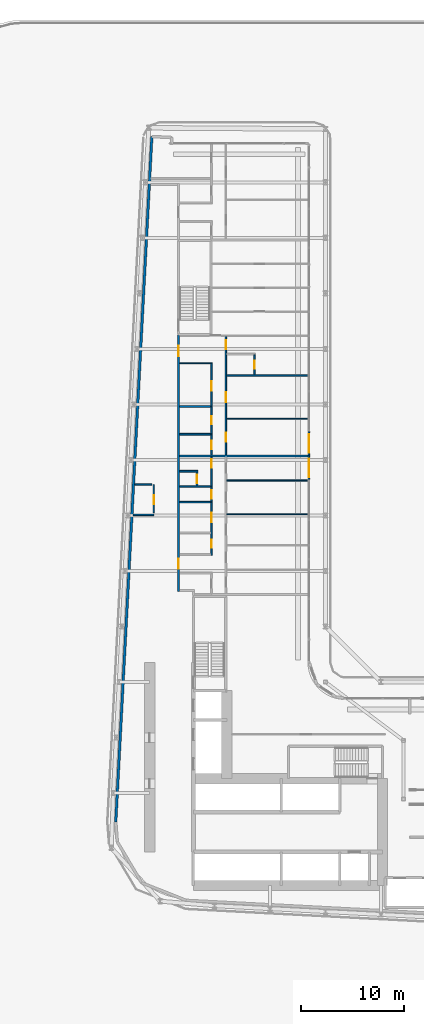
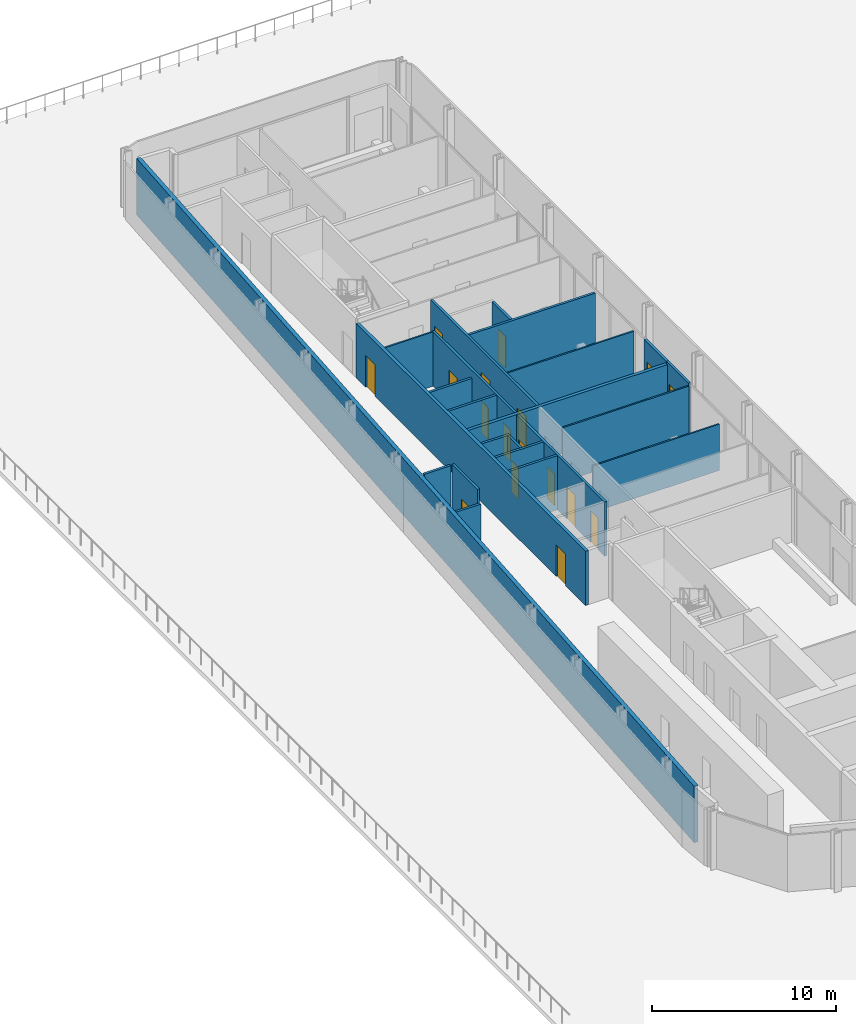
# One storey, part 17 of 27: 23 walls, 17 doors, 17 openings.
"""IFC4 building model written with IfcOpenShell, lengths in metres."""

from ifc_helpers import new_model, si_unit, direction, frame, frame_2d, origin, place, context, subcontext, project, spatial, rectangle, extrude, source, transform, mapped, material, layer, layer_set, type_object, element, fill, save


model = new_model("IFC4")

# Units and contexts
model_context = context("Model", 3, precision=1e-05, world=origin(), true_north=direction((0.0, 1.0)))
body_context = subcontext(model_context, "Body", "Model", "MODEL_VIEW")
ifc_project = project(units=[si_unit("LENGTHUNIT", "METRE"), si_unit("AREAUNIT", "SQUARE_METRE"), si_unit("VOLUMEUNIT", "CUBIC_METRE"), si_unit("PLANEANGLEUNIT", "RADIAN"), si_unit("MASSUNIT", "GRAM", prefix="KILO")], contexts=[model_context])

# Site, building, storey
site_placement = place(None, origin())
site = spatial("IfcSite", under=ifc_project, at=site_placement, CompositionType="ELEMENT")
building_placement = place(site_placement, origin())
building = spatial("IfcBuilding", under=site, at=building_placement, Name="Kheshtan School and Residences Tower", CompositionType="ELEMENT")
storey_placement = place(building_placement, frame((0.0, 0.0, 30.5)))
storey = spatial("IfcBuildingStorey", under=building, at=storey_placement, Name="L06", CompositionType="ELEMENT", Elevation=30.5)

# Wall, openings, doors
ifc_material_1 = material(Name="Gypsum board on steel studs with fire boards", Category="steel")
ifc_layer_1 = layer(ifc_material_1, 0.199951171875)
ifc_layer_set_1 = layer_set([ifc_layer_1], Name="Corridor wall 200")
wall_type_1 = type_object("IfcWallType", Name="Corridor wall 200", PredefinedType="PARTITIONING", material=ifc_layer_set_1)
wall_1_placement = place(storey_placement, frame((33.300048828125, 54.39990234375, 0.0), z_axis=(0.0, 0.0, 1.0), x_axis=(0.0, 1.0, 0.0)))
wall_1 = element("IfcWall", 1, at=wall_1_placement, inside=storey, type_object=wall_type_1, Name="Partition L06-003", PredefinedType="PARTITIONING", context=body_context, shape_type="SweptSolid", body=[
    extrude(rectangle(XDim=24.9501953125, YDim=0.199951171875, at=frame_2d((12.47509765625, 0.0))), origin(), (0.0, 0.0, 1.0), 3.60009765625),
])
opening_1_placement = place(wall_1_placement, frame((2.199951171875, 0.0, 0.0)))
opening_1 = element("IfcOpeningElement", 2, at=opening_1_placement, cuts=wall_1, Name="Opening D06-029", PredefinedType="OPENING", context=body_context, shape_type="SweptSolid", body=[
    extrude(rectangle(XDim=1.0, YDim=2.10009765625, at=frame_2d((0.5, 1.050048828125))), frame((0.0, 0.10986328125, 0.0), z_axis=(0.0, -1.0, 0.0), x_axis=(1.0, 0.0, 0.0)), (0.0, 0.0, 1.0), 0.219970703125),
])
opening_2_placement = place(wall_1_placement, frame((22.89990234375, 0.0, 0.0)))
opening_2 = element("IfcOpeningElement", 3, at=opening_2_placement, cuts=wall_1, Name="Opening D06-040", PredefinedType="OPENING", context=body_context, shape_type="SweptSolid", body=[
    extrude(rectangle(XDim=1.0, YDim=2.10009765625, at=frame_2d((0.5, 1.050048828125))), frame((0.0, 0.10986328125, 0.0), z_axis=(0.0, -1.0, 0.0), x_axis=(1.0, 0.0, 0.0)), (0.0, 0.0, 1.0), 0.219970703125),
])
ifc_material_2 = material(Name="Steel-framed fire-resisting door leaf", Category="steel")
door_type_1 = type_object("IfcDoorType", Name="Fire door FD30S 1000 x 2100", OperationType="SINGLE_SWING_LEFT", PredefinedType="DOOR", material=ifc_material_2)
shared_shape_1 = source(origin(), body_context, "Body", "SweptSolid", [
    extrude(rectangle(XDim=1.0, YDim=2.10009765625, at=frame_2d((0.5, 1.050048828125))), frame((0.0, 0.02490234375, 0.0), z_axis=(0.0, -1.0, 0.0), x_axis=(1.0, 0.0, 0.0)), (0.0, 0.0, 1.0), 0.050048828125),
])
door_1_placement = place(opening_1_placement, origin())
door_1 = element("IfcDoor", 4, at=door_1_placement, inside=storey, type_object=door_type_1, Name="Door D06-029", OperationType="SINGLE_SWING_LEFT", OverallHeight=2.10009765625, OverallWidth=1.0, PredefinedType="DOOR", context=body_context, shape_type="MappedRepresentation", body=[
    mapped(shared_shape_1, transform((0.0, 0.0, 0.0), x_axis=(1.0, 0.0, 0.0), y_axis=(0.0, 1.0, 0.0), z_axis=(0.0, 0.0, 1.0), scale=1.0)),
])
fill(opening_1, door_1)
door_2_placement = place(opening_2_placement, origin())
door_2 = element("IfcDoor", 5, at=door_2_placement, inside=storey, type_object=door_type_1, Name="Door D06-040", OperationType="SINGLE_SWING_RIGHT", OverallHeight=2.10009765625, OverallWidth=1.0, PredefinedType="DOOR", context=body_context, shape_type="MappedRepresentation", body=[
    mapped(shared_shape_1, transform((0.0, 0.0, 0.0), x_axis=(1.0, 0.0, 0.0), y_axis=(0.0, 1.0, 0.0), z_axis=(0.0, 0.0, 1.0), scale=1.0)),
])
fill(opening_2, door_2)

# Wall
ifc_material_3 = material(Name="Concrete C40/50 with ceramic cladding and mineral wool insulation", Category="concrete")
ifc_layer_2 = layer(ifc_material_3, 0.25)
ifc_layer_set_2 = layer_set([ifc_layer_2], Name="External wall 250 ceramic clad")
wall_type_2 = type_object("IfcWallType", Name="External wall 250 ceramic clad", PredefinedType="SOLIDWALL", material=ifc_layer_set_2)
wall_2_placement = place(storey_placement, frame((27.195068359375, 31.968994140625, 0.0), z_axis=(0.0, 0.0, 1.0), x_axis=(0.052554995867, 0.998618031286, 0.0)))
element("IfcWall", 6, at=wall_2_placement, inside=storey, type_object=wall_type_2, Name="External wall L06 4", PredefinedType="SOLIDWALL", context=body_context, shape_type="SweptSolid", body=[
    extrude(rectangle(XDim=66.787353515625, YDim=0.25, at=frame_2d((33.3935546875, 0.0))), origin(), (0.0, 0.0, 1.0), 3.75),
])

# Wall, opening, door
ifc_material_4 = material(Name="Aluminium frame wall with insulated infill", Category="aluminium")
ifc_layer_3 = layer(ifc_material_4, 0.14990234375)
ifc_layer_set_3 = layer_set([ifc_layer_3], Name="Glazing frame wall 150")
wall_type_3 = type_object("IfcWallType", Name="Glazing frame wall 150", PredefinedType="SOLIDWALL", material=ifc_layer_set_3)
wall_3_placement = place(storey_placement, frame((45.97509765625, 70.01806640625, 0.0), z_axis=(0.0, 0.0, 1.0), x_axis=(0.0, -1.0, 0.0)))
wall_3 = element("IfcWall", 7, at=wall_3_placement, inside=storey, type_object=wall_type_3, Name="Balcony door wall L06 8.3", PredefinedType="SOLIDWALL", context=body_context, shape_type="SweptSolid", body=[
    extrude(rectangle(XDim=2.400146484375, YDim=0.14990234375, at=frame_2d((1.2001953125, 0.0))), origin(), (0.0, 0.0, 1.0), 3.75),
])
opening_3_placement = place(wall_3_placement, frame((0.300048828125, 0.0, 0.0)))
opening_3 = element("IfcOpeningElement", 8, at=opening_3_placement, cuts=wall_3, Name="Opening BD", PredefinedType="OPENING", context=body_context, shape_type="SweptSolid", body=[
    extrude(rectangle(XDim=1.800048828125, YDim=2.39990234375, at=frame_2d((0.89990234375, 1.199951171875))), frame((0.0, 0.0849609375, 0.0), z_axis=(0.0, -1.0, 0.0), x_axis=(1.0, 0.0, 0.0)), (0.0, 0.0, 1.0), 0.169921875),
])
ifc_material_5 = material(Name="Clear low-e glass in thermally broken aluminium frame", Category="aluminium")
door_type_2 = type_object("IfcDoorType", Name="Balcony sliding door", OperationType="SLIDING_TO_LEFT", PredefinedType="DOOR", material=ifc_material_5)
shared_shape_2 = source(origin(), body_context, "Body", "SweptSolid", [
    extrude(rectangle(XDim=1.800048828125, YDim=2.39990234375, at=frame_2d((0.89990234375, 1.199951171875))), frame((0.0, 0.02490234375, 0.0), z_axis=(0.0, -1.0, 0.0), x_axis=(1.0, 0.0, 0.0)), (0.0, 0.0, 1.0), 0.050048828125),
])
door_3_placement = place(opening_3_placement, origin())
door_3 = element("IfcDoor", 9, at=door_3_placement, inside=storey, type_object=door_type_2, Name="Balcony door L06 8.3", OperationType="SLIDING_TO_LEFT", OverallHeight=2.39990234375, OverallWidth=1.800048828125, PredefinedType="DOOR", context=body_context, shape_type="MappedRepresentation", body=[
    mapped(shared_shape_2, transform((0.0, 0.0, 0.0), x_axis=(1.0, 0.0, 0.0), y_axis=(0.0, 1.0, 0.0), z_axis=(0.0, 0.0, 1.0), scale=1.0)),
])
fill(opening_3, door_3)

wall_4_placement = place(storey_placement, frame((45.97509765625, 67.617919921875, 0.0), z_axis=(0.0, 0.0, 1.0), x_axis=(0.0, -1.0, 0.0)))
wall_4 = element("IfcWall", 10, at=wall_4_placement, inside=storey, type_object=wall_type_3, Name="Balcony door wall L06 8.4", PredefinedType="SOLIDWALL", context=body_context, shape_type="SweptSolid", body=[
    extrude(rectangle(XDim=2.39990234375, YDim=0.14990234375, at=frame_2d((1.199951171875, 0.0))), origin(), (0.0, 0.0, 1.0), 3.75),
])
opening_4_placement = place(wall_4_placement, frame((0.300048828125, 0.0, 0.0)))
opening_4 = element("IfcOpeningElement", 11, at=opening_4_placement, cuts=wall_4, Name="Opening BD", PredefinedType="OPENING", context=body_context, shape_type="SweptSolid", body=[
    extrude(rectangle(XDim=1.800048828125, YDim=2.39990234375, at=frame_2d((0.89990234375, 1.199951171875))), frame((0.0, 0.0849609375, 0.0), z_axis=(0.0, -1.0, 0.0), x_axis=(1.0, 0.0, 0.0)), (0.0, 0.0, 1.0), 0.169921875),
])
door_4_placement = place(opening_4_placement, origin())
door_4 = element("IfcDoor", 12, at=door_4_placement, inside=storey, type_object=door_type_2, Name="Balcony door L06 8.4", OperationType="SLIDING_TO_LEFT", OverallHeight=2.39990234375, OverallWidth=1.800048828125, PredefinedType="DOOR", context=body_context, shape_type="MappedRepresentation", body=[
    mapped(shared_shape_2, transform((0.0, 0.0, 0.0), x_axis=(1.0, 0.0, 0.0), y_axis=(0.0, 1.0, 0.0), z_axis=(0.0, 0.0, 1.0), scale=1.0)),
])
fill(opening_4, door_4)

# Walls
ifc_material_6 = material(Name="Gypsum board on steel studs", Category="steel")
ifc_layer_4 = layer(ifc_material_6, 0.10009765625)
ifc_layer_set_4 = layer_set([ifc_layer_4], Name="Gypsum partition 100")
wall_type_4 = type_object("IfcWallType", Name="Gypsum partition 100", PredefinedType="PARTITIONING", material=ifc_layer_set_4)
wall_5_placement = place(storey_placement, frame((33.39990234375, 76.60009765625, 0.0), z_axis=(0.0, 0.0, 1.0), x_axis=(1.0, 0.0, 0.0)))
element("IfcWall", 13, at=wall_5_placement, inside=storey, type_object=wall_type_4, Name="Partition L06-015", PredefinedType="PARTITIONING", context=body_context, shape_type="SweptSolid", body=[
    extrude(rectangle(XDim=3.025146484375, YDim=0.10009765625, at=frame_2d((1.5126953125, 0.0))), origin(), (0.0, 0.0, 1.0), 3.60009765625),
])
wall_6_placement = place(storey_placement, frame((37.97509765625, 61.89990234375, 0.0), z_axis=(0.0, 0.0, 1.0), x_axis=(1.0, 0.0, 0.0)))
element("IfcWall", 14, at=wall_6_placement, inside=storey, type_object=wall_type_4, Name="Partition L06-038", PredefinedType="PARTITIONING", context=body_context, shape_type="SweptSolid", body=[
    extrude(rectangle(XDim=7.9248046875, YDim=0.10009765625, at=frame_2d((3.96240234375, 0.0))), origin(), (0.0, 0.0, 1.0), 3.072021484375),
])
for number, where, z_axis, x_axis, name in (
    (15, (37.97509765625, 65.199951171875, 0.0), (0.0, 0.0, 1.0), (1.0, 0.0, 0.0), "Partition L06-039"),
    (16, (37.97509765625, 71.199951171875, 0.0), (0.0, 0.0, 1.0), (1.0, 0.0, 0.0), "Partition L06-040"),
):
    element("IfcWall", number, at=place(storey_placement, frame(where, z_axis=z_axis, x_axis=x_axis)), inside=storey, type_object=wall_type_4, Name=name, PredefinedType="PARTITIONING", context=body_context, shape_type="SweptSolid", body=[
        extrude(rectangle(XDim=7.9248046875, YDim=0.10009765625, at=frame_2d((3.96240234375, 0.0))), origin(), (0.0, 0.0, 1.0), 3.60009765625),
    ])
ifc_material_7 = material(Name="Fire-board shaft wall system")
ifc_layer_5 = layer(ifc_material_7, 0.14990234375)
ifc_layer_set_5 = layer_set([ifc_layer_5], Name="Service room wall 150")
wall_type_5 = type_object("IfcWallType", Name="Service room wall 150", PredefinedType="PARTITIONING", material=ifc_layer_set_5)
wall_7_placement = place(storey_placement, frame((28.89501953125, 61.85107421875, 0.0), z_axis=(0.0, 0.0, 1.0), x_axis=(1.0, 0.0, 0.0)))
element("IfcWall", 17, at=wall_7_placement, inside=storey, type_object=wall_type_5, Name="Service room wall", PredefinedType="PARTITIONING", context=body_context, shape_type="SweptSolid", body=[
    extrude(rectangle(XDim=2.0048828125, YDim=0.14990234375, at=frame_2d((1.00244140625, 0.0))), origin(), (0.0, 0.0, 1.0), 3.072021484375),
])

# Wall, opening, door
wall_8_placement = place(storey_placement, frame((30.89990234375, 62.0458984375, 0.0), z_axis=(0.0, 0.0, 1.0), x_axis=(0.0, 1.0, 0.0)))
wall_8 = element("IfcWall", 18, at=wall_8_placement, inside=storey, type_object=wall_type_5, Name="Service room wall", PredefinedType="PARTITIONING", context=body_context, shape_type="SweptSolid", body=[
    extrude(rectangle(XDim=2.754150390625, YDim=0.14990234375, at=frame_2d((1.376953125, 0.0))), origin(), (0.0, 0.0, 1.0), 3.89990234375),
])
opening_5_placement = place(wall_8_placement, frame((0.830078125, 0.0, 0.0)))
opening_5 = element("IfcOpeningElement", 19, at=opening_5_placement, cuts=wall_8, Name="Opening SR90", PredefinedType="OPENING", context=body_context, shape_type="SweptSolid", body=[
    extrude(rectangle(XDim=0.89990234375, YDim=2.199951171875, at=frame_2d((0.449951171875, 1.10009765625))), frame((0.0, 0.0849609375, 0.0), z_axis=(0.0, -1.0, 0.0), x_axis=(1.0, 0.0, 0.0)), (0.0, 0.0, 1.0), 0.169921875),
])
ifc_material_8 = material(Name="Steel door leaf, galvanised", Category="steel")
door_type_3 = type_object("IfcDoorType", Name="Service room door 900 steel 90 min", OperationType="SINGLE_SWING_LEFT", PredefinedType="DOOR", material=ifc_material_8)
shared_shape_3 = source(origin(), body_context, "Body", "SweptSolid", [
    extrude(rectangle(XDim=0.89990234375, YDim=2.199951171875, at=frame_2d((0.449951171875, 1.10009765625))), frame((0.0, 0.02490234375, 0.0), z_axis=(0.0, -1.0, 0.0), x_axis=(1.0, 0.0, 0.0)), (0.0, 0.0, 1.0), 0.050048828125),
])
door_5_placement = place(opening_5_placement, origin())
door_5 = element("IfcDoor", 20, at=door_5_placement, inside=storey, type_object=door_type_3, Name="Service room door", OperationType="SINGLE_SWING_LEFT", OverallHeight=2.199951171875, OverallWidth=0.89990234375, PredefinedType="DOOR", context=body_context, shape_type="MappedRepresentation", body=[
    mapped(shared_shape_3, transform((0.0, 0.0, 0.0), x_axis=(1.0, 0.0, 0.0), y_axis=(0.0, 1.0, 0.0), z_axis=(0.0, 0.0, 1.0), scale=1.0)),
])
fill(opening_5, door_5)

# Walls
wall_9_placement = place(storey_placement, frame((29.050048828125, 64.800048828125, 0.0), z_axis=(0.0, 0.0, 1.0), x_axis=(1.0, 0.0, 0.0)))
element("IfcWall", 21, at=wall_9_placement, inside=storey, type_object=wall_type_5, Name="Service room wall", PredefinedType="PARTITIONING", context=body_context, shape_type="SweptSolid", body=[
    extrude(rectangle(XDim=1.655029296875, YDim=0.14990234375, at=frame_2d((0.82763671875, 0.0))), origin(), (0.0, 0.0, 1.0), 3.89990234375),
])
ifc_material_9 = material(Name="Twin gypsum board on steel studs with mineral wool", Category="steel")
ifc_layer_6 = layer(ifc_material_9, 0.199951171875)
ifc_layer_set_6 = layer_set([ifc_layer_6], Name="Unit demising wall 200")
wall_type_6 = type_object("IfcWallType", Name="Unit demising wall 200", PredefinedType="PARTITIONING", material=ifc_layer_set_6)
wall_10_placement = place(storey_placement, frame((33.39990234375, 67.60009765625, 0.0), z_axis=(0.0, 0.0, 1.0), x_axis=(1.0, 0.0, 0.0)))
element("IfcWall", 22, at=wall_10_placement, inside=storey, type_object=wall_type_6, Name="Partition L06-012", PredefinedType="PARTITIONING", context=body_context, shape_type="SweptSolid", body=[
    extrude(rectangle(XDim=12.5, YDim=0.199951171875, at=frame_2d((6.25, 0.0))), origin(), (0.0, 0.0, 1.0), 3.60009765625),
])
ifc_material_10 = material(Name="Moisture-resistant gypsum board on steel studs", Category="steel")
ifc_layer_7 = layer(ifc_material_10, 0.14990234375)
ifc_layer_set_7 = layer_set([ifc_layer_7], Name="Wet-room partition 150")
wall_type_7 = type_object("IfcWallType", Name="Wet-room partition 150", PredefinedType="PARTITIONING", material=ifc_layer_set_7)
for number, where, z_axis, x_axis, name in (
    (23, (33.39990234375, 63.10009765625, 0.0), (0.0, 0.0, 1.0), (1.0, 0.0, 0.0), "Partition L06-009"),
    (24, (33.39990234375, 64.60009765625, 0.0), (0.0, 0.0, 1.0), (1.0, 0.0, 0.0), "Partition L06-010"),
):
    element("IfcWall", number, at=place(storey_placement, frame(where, z_axis=z_axis, x_axis=x_axis)), inside=storey, type_object=wall_type_7, Name=name, PredefinedType="PARTITIONING", context=body_context, shape_type="SweptSolid", body=[
        extrude(rectangle(XDim=3.025146484375, YDim=0.14990234375, at=frame_2d((1.5126953125, 0.0))), origin(), (0.0, 0.0, 1.0), 3.60009765625),
    ])
wall_11_placement = place(storey_placement, frame((33.39990234375, 66.10009765625, 0.0), z_axis=(0.0, 0.0, 1.0), x_axis=(1.0, 0.0, 0.0)))
element("IfcWall", 25, at=wall_11_placement, inside=storey, type_object=wall_type_7, Name="Partition L06-011", PredefinedType="PARTITIONING", context=body_context, shape_type="SweptSolid", body=[
    extrude(rectangle(XDim=1.775146484375, YDim=0.14990234375, at=frame_2d((0.8876953125, 0.0))), origin(), (0.0, 0.0, 1.0), 3.60009765625),
])
wall_12_placement = place(storey_placement, frame((33.39990234375, 69.699951171875, 0.0), z_axis=(0.0, 0.0, 1.0), x_axis=(1.0, 0.0, 0.0)))
element("IfcWall", 26, at=wall_12_placement, inside=storey, type_object=wall_type_7, Name="Partition L06-013", PredefinedType="PARTITIONING", context=body_context, shape_type="SweptSolid", body=[
    extrude(rectangle(XDim=3.025146484375, YDim=0.14990234375, at=frame_2d((1.5126953125, 0.0))), origin(), (0.0, 0.0, 1.0), 3.60009765625),
])
wall_13_placement = place(storey_placement, frame((33.39990234375, 72.39990234375, 0.0), z_axis=(0.0, 0.0, 1.0), x_axis=(1.0, 0.0, 0.0)))
element("IfcWall", 27, at=wall_13_placement, inside=storey, type_object=wall_type_7, Name="Partition L06-014", PredefinedType="PARTITIONING", context=body_context, shape_type="SweptSolid", body=[
    extrude(rectangle(XDim=3.025146484375, YDim=0.14990234375, at=frame_2d((1.5126953125, 0.0))), origin(), (0.0, 0.0, 1.0), 3.072021484375),
])

# Wall, opening, door
wall_14_placement = place(storey_placement, frame((35.10009765625, 64.675048828125, 0.0), z_axis=(0.0, 0.0, 1.0), x_axis=(0.0, 1.0, 0.0)))
wall_14 = element("IfcWall", 28, at=wall_14_placement, inside=storey, type_object=wall_type_7, Name="Partition L06-021", PredefinedType="PARTITIONING", context=body_context, shape_type="SweptSolid", body=[
    extrude(rectangle(XDim=1.349853515625, YDim=0.14990234375, at=frame_2d((0.6748046875, 0.0))), origin(), (0.0, 0.0, 1.0), 3.60009765625),
])
opening_6_placement = place(wall_14_placement, frame((0.27490234375, 0.0, 0.0)))
opening_6 = element("IfcOpeningElement", 29, at=opening_6_placement, cuts=wall_14, Name="Opening D06-033", PredefinedType="OPENING", context=body_context, shape_type="SweptSolid", body=[
    extrude(rectangle(XDim=0.800048828125, YDim=2.10009765625, at=frame_2d((0.39990234375, 1.050048828125))), frame((0.0, 0.0849609375, 0.0), z_axis=(0.0, -1.0, 0.0), x_axis=(1.0, 0.0, 0.0)), (0.0, 0.0, 1.0), 0.169921875),
])
ifc_material_11 = material(Name="Veneered timber door leaf", Category="wood")
door_type_4 = type_object("IfcDoorType", Name="Door 800 x 2100", OperationType="SINGLE_SWING_LEFT", PredefinedType="DOOR", material=ifc_material_11)
shared_shape_4 = source(origin(), body_context, "Body", "SweptSolid", [
    extrude(rectangle(XDim=0.800048828125, YDim=2.10009765625, at=frame_2d((0.39990234375, 1.050048828125))), frame((0.0, 0.02490234375, 0.0), z_axis=(0.0, -1.0, 0.0), x_axis=(1.0, 0.0, 0.0)), (0.0, 0.0, 1.0), 0.050048828125),
])
door_6_placement = place(opening_6_placement, origin())
door_6 = element("IfcDoor", 30, at=door_6_placement, inside=storey, type_object=door_type_4, Name="Door D06-033", OperationType="SINGLE_SWING_LEFT", OverallHeight=2.10009765625, OverallWidth=0.800048828125, PredefinedType="DOOR", context=body_context, shape_type="MappedRepresentation", body=[
    mapped(shared_shape_4, transform((0.0, 0.0, 0.0), x_axis=(1.0, 0.0, 0.0), y_axis=(0.0, 1.0, 0.0), z_axis=(0.0, 0.0, 1.0), scale=1.0)),
])
fill(opening_6, door_6)

# Wall, openings, doors
wall_15_placement = place(storey_placement, frame((36.5, 57.925048828125, 0.0), z_axis=(0.0, 0.0, 1.0), x_axis=(0.0, 1.0, 0.0)))
wall_15 = element("IfcWall", 31, at=wall_15_placement, inside=storey, type_object=wall_type_7, Name="Partition L06-025", PredefinedType="PARTITIONING", context=body_context, shape_type="SweptSolid", body=[
    extrude(rectangle(XDim=9.574951171875, YDim=0.14990234375, at=frame_2d((4.78759765625, 0.0))), origin(), (0.0, 0.0, 1.0), 3.60009765625),
])
opening_7_placement = place(wall_15_placement, frame((0.72509765625, 0.0, 0.0)))
opening_7 = element("IfcOpeningElement", 32, at=opening_7_placement, cuts=wall_15, Name="Opening D06-026", PredefinedType="OPENING", context=body_context, shape_type="SweptSolid", body=[
    extrude(rectangle(XDim=0.800048828125, YDim=2.10009765625, at=frame_2d((0.39990234375, 1.050048828125))), frame((0.0, 0.0849609375, 0.0), z_axis=(0.0, -1.0, 0.0), x_axis=(1.0, 0.0, 0.0)), (0.0, 0.0, 1.0), 0.169921875),
])
opening_8_placement = place(wall_15_placement, frame((3.22509765625, 0.0, 0.0)))
opening_8 = element("IfcOpeningElement", 33, at=opening_8_placement, cuts=wall_15, Name="Opening D06-030", PredefinedType="OPENING", context=body_context, shape_type="SweptSolid", body=[
    extrude(rectangle(XDim=0.89990234375, YDim=2.10009765625, at=frame_2d((0.449951171875, 1.050048828125))), frame((0.0, 0.0849609375, 0.0), z_axis=(0.0, -1.0, 0.0), x_axis=(1.0, 0.0, 0.0)), (0.0, 0.0, 1.0), 0.169921875),
])
opening_9_placement = place(wall_15_placement, frame((8.52490234375, 0.0, 0.0)))
opening_9 = element("IfcOpeningElement", 34, at=opening_9_placement, cuts=wall_15, Name="Opening D06-032", PredefinedType="OPENING", context=body_context, shape_type="SweptSolid", body=[
    extrude(rectangle(XDim=0.800048828125, YDim=2.10009765625, at=frame_2d((0.39990234375, 1.050048828125))), frame((0.0, 0.0849609375, 0.0), z_axis=(0.0, -1.0, 0.0), x_axis=(1.0, 0.0, 0.0)), (0.0, 0.0, 1.0), 0.169921875),
])
opening_10_placement = place(wall_15_placement, frame((5.52490234375, 0.0, 0.0)))
opening_10 = element("IfcOpeningElement", 35, at=opening_10_placement, cuts=wall_15, Name="Opening D06-036", PredefinedType="OPENING", context=body_context, shape_type="SweptSolid", body=[
    extrude(rectangle(XDim=0.800048828125, YDim=2.10009765625, at=frame_2d((0.39990234375, 1.050048828125))), frame((0.0, 0.0849609375, 0.0), z_axis=(0.0, -1.0, 0.0), x_axis=(1.0, 0.0, 0.0)), (0.0, 0.0, 1.0), 0.169921875),
])
door_7_placement = place(opening_7_placement, origin())
door_7 = element("IfcDoor", 36, at=door_7_placement, inside=storey, type_object=door_type_4, Name="Door D06-026", OperationType="SINGLE_SWING_LEFT", OverallHeight=2.10009765625, OverallWidth=0.800048828125, PredefinedType="DOOR", context=body_context, shape_type="MappedRepresentation", body=[
    mapped(shared_shape_4, transform((0.0, 0.0, 0.0), x_axis=(1.0, 0.0, 0.0), y_axis=(0.0, 1.0, 0.0), z_axis=(0.0, 0.0, 1.0), scale=1.0)),
])
fill(opening_7, door_7)
door_8_placement = place(opening_9_placement, origin())
door_8 = element("IfcDoor", 37, at=door_8_placement, inside=storey, type_object=door_type_4, Name="Door D06-032", OperationType="SINGLE_SWING_RIGHT", OverallHeight=2.10009765625, OverallWidth=0.800048828125, PredefinedType="DOOR", context=body_context, shape_type="MappedRepresentation", body=[
    mapped(shared_shape_4, transform((0.0, 0.0, 0.0), x_axis=(1.0, 0.0, 0.0), y_axis=(0.0, 1.0, 0.0), z_axis=(0.0, 0.0, 1.0), scale=1.0)),
])
fill(opening_9, door_8)
door_9_placement = place(opening_10_placement, origin())
door_9 = element("IfcDoor", 38, at=door_9_placement, inside=storey, type_object=door_type_4, Name="Door D06-036", OperationType="SINGLE_SWING_LEFT", OverallHeight=2.10009765625, OverallWidth=0.800048828125, PredefinedType="DOOR", context=body_context, shape_type="MappedRepresentation", body=[
    mapped(shared_shape_4, transform((0.0, 0.0, 0.0), x_axis=(1.0, 0.0, 0.0), y_axis=(0.0, 1.0, 0.0), z_axis=(0.0, 0.0, 1.0), scale=1.0)),
])
fill(opening_10, door_9)
door_type_5 = type_object("IfcDoorType", Name="Door 900 x 2100", OperationType="SINGLE_SWING_LEFT", PredefinedType="DOOR", material=ifc_material_11)
shared_shape_5 = source(origin(), body_context, "Body", "SweptSolid", [
    extrude(rectangle(XDim=0.89990234375, YDim=2.10009765625, at=frame_2d((0.449951171875, 1.050048828125))), frame((0.0, 0.02490234375, 0.0), z_axis=(0.0, -1.0, 0.0), x_axis=(1.0, 0.0, 0.0)), (0.0, 0.0, 1.0), 0.050048828125),
])
door_10_placement = place(opening_8_placement, origin())
door_10 = element("IfcDoor", 39, at=door_10_placement, inside=storey, type_object=door_type_5, Name="Door D06-030", OperationType="SINGLE_SWING_RIGHT", OverallHeight=2.10009765625, OverallWidth=0.89990234375, PredefinedType="DOOR", context=body_context, shape_type="MappedRepresentation", body=[
    mapped(shared_shape_5, transform((0.0, 0.0, 0.0), x_axis=(1.0, 0.0, 0.0), y_axis=(0.0, 1.0, 0.0), z_axis=(0.0, 0.0, 1.0), scale=1.0)),
])
fill(opening_8, door_10)

wall_16_placement = place(storey_placement, frame((36.5, 67.699951171875, 0.0), z_axis=(0.0, 0.0, 1.0), x_axis=(0.0, 1.0, 0.0)))
wall_16 = element("IfcWall", 40, at=wall_16_placement, inside=storey, type_object=wall_type_7, Name="Partition L06-026", PredefinedType="PARTITIONING", context=body_context, shape_type="SweptSolid", body=[
    extrude(rectangle(XDim=8.949951171875, YDim=0.14990234375, at=frame_2d((4.47509765625, 0.0))), origin(), (0.0, 0.0, 1.0), 3.60009765625),
])
opening_11_placement = place(wall_16_placement, frame((2.949951171875, 0.0, 0.0)))
opening_11 = element("IfcOpeningElement", 41, at=opening_11_placement, cuts=wall_16, Name="Opening D06-037", PredefinedType="OPENING", context=body_context, shape_type="SweptSolid", body=[
    extrude(rectangle(XDim=0.800048828125, YDim=2.10009765625, at=frame_2d((0.39990234375, 1.050048828125))), frame((0.0, 0.0849609375, 0.0), z_axis=(0.0, -1.0, 0.0), x_axis=(1.0, 0.0, 0.0)), (0.0, 0.0, 1.0), 0.169921875),
])
opening_12_placement = place(wall_16_placement, frame((6.25, 0.0, 0.0)))
opening_12 = element("IfcOpeningElement", 42, at=opening_12_placement, cuts=wall_16, Name="Opening D06-041", PredefinedType="OPENING", context=body_context, shape_type="SweptSolid", body=[
    extrude(rectangle(XDim=0.89990234375, YDim=2.10009765625, at=frame_2d((0.449951171875, 1.050048828125))), frame((0.0, 0.0849609375, 0.0), z_axis=(0.0, -1.0, 0.0), x_axis=(1.0, 0.0, 0.0)), (0.0, 0.0, 1.0), 0.169921875),
])
opening_13_placement = place(wall_16_placement, frame((0.550048828125, 0.0, 0.0)))
opening_13 = element("IfcOpeningElement", 43, at=opening_13_placement, cuts=wall_16, Name="Opening D06-044", PredefinedType="OPENING", context=body_context, shape_type="SweptSolid", body=[
    extrude(rectangle(XDim=0.800048828125, YDim=2.10009765625, at=frame_2d((0.39990234375, 1.050048828125))), frame((0.0, 0.0849609375, 0.0), z_axis=(0.0, -1.0, 0.0), x_axis=(1.0, 0.0, 0.0)), (0.0, 0.0, 1.0), 0.169921875),
])
door_11_placement = place(opening_11_placement, origin())
door_11 = element("IfcDoor", 44, at=door_11_placement, inside=storey, type_object=door_type_4, Name="Door D06-037", OperationType="SINGLE_SWING_RIGHT", OverallHeight=2.10009765625, OverallWidth=0.800048828125, PredefinedType="DOOR", context=body_context, shape_type="MappedRepresentation", body=[
    mapped(shared_shape_4, transform((0.0, 0.0, 0.0), x_axis=(1.0, 0.0, 0.0), y_axis=(0.0, 1.0, 0.0), z_axis=(0.0, 0.0, 1.0), scale=1.0)),
])
fill(opening_11, door_11)
door_12_placement = place(opening_13_placement, origin())
door_12 = element("IfcDoor", 45, at=door_12_placement, inside=storey, type_object=door_type_4, Name="Door D06-044", OperationType="SINGLE_SWING_RIGHT", OverallHeight=2.10009765625, OverallWidth=0.800048828125, PredefinedType="DOOR", context=body_context, shape_type="MappedRepresentation", body=[
    mapped(shared_shape_4, transform((0.0, 0.0, 0.0), x_axis=(1.0, 0.0, 0.0), y_axis=(0.0, 1.0, 0.0), z_axis=(0.0, 0.0, 1.0), scale=1.0)),
])
fill(opening_13, door_12)
door_13_placement = place(opening_12_placement, origin())
door_13 = element("IfcDoor", 46, at=door_13_placement, inside=storey, type_object=door_type_5, Name="Door D06-041", OperationType="SINGLE_SWING_RIGHT", OverallHeight=2.10009765625, OverallWidth=0.89990234375, PredefinedType="DOOR", context=body_context, shape_type="MappedRepresentation", body=[
    mapped(shared_shape_5, transform((0.0, 0.0, 0.0), x_axis=(1.0, 0.0, 0.0), y_axis=(0.0, 1.0, 0.0), z_axis=(0.0, 0.0, 1.0), scale=1.0)),
])
fill(opening_12, door_13)

wall_17_placement = place(storey_placement, frame((37.89990234375, 67.699951171875, 0.0), z_axis=(0.0, 0.0, 1.0), x_axis=(0.0, 1.0, 0.0)))
wall_17 = element("IfcWall", 47, at=wall_17_placement, inside=storey, type_object=wall_type_7, Name="Partition L06-033", PredefinedType="PARTITIONING", context=body_context, shape_type="SweptSolid", body=[
    extrude(rectangle(XDim=11.550048828125, YDim=0.14990234375, at=frame_2d((5.77490234375, 0.0))), origin(), (0.0, 0.0, 1.0), 3.60009765625),
])
opening_14_placement = place(wall_17_placement, frame((1.25, 0.0, 0.0)))
opening_14 = element("IfcOpeningElement", 48, at=opening_14_placement, cuts=wall_17, Name="Opening D06-038", PredefinedType="OPENING", context=body_context, shape_type="SweptSolid", body=[
    extrude(rectangle(XDim=0.89990234375, YDim=2.10009765625, at=frame_2d((0.449951171875, 1.050048828125))), frame((0.0, 0.0849609375, 0.0), z_axis=(0.0, -1.0, 0.0), x_axis=(1.0, 0.0, 0.0)), (0.0, 0.0, 1.0), 0.169921875),
])
opening_15_placement = place(wall_17_placement, frame((5.10009765625, 0.0, 0.0)))
opening_15 = element("IfcOpeningElement", 49, at=opening_15_placement, cuts=wall_17, Name="Opening D06-042", PredefinedType="OPENING", context=body_context, shape_type="SweptSolid", body=[
    extrude(rectangle(XDim=1.0, YDim=2.10009765625, at=frame_2d((0.5, 1.050048828125))), frame((0.0, 0.0849609375, 0.0), z_axis=(0.0, -1.0, 0.0), x_axis=(1.0, 0.0, 0.0)), (0.0, 0.0, 1.0), 0.169921875),
])
opening_16_placement = place(wall_17_placement, frame((10.25, 0.0, 0.0)))
opening_16 = element("IfcOpeningElement", 50, at=opening_16_placement, cuts=wall_17, Name="Opening D06-043", PredefinedType="OPENING", context=body_context, shape_type="SweptSolid", body=[
    extrude(rectangle(XDim=0.89990234375, YDim=2.10009765625, at=frame_2d((0.449951171875, 1.050048828125))), frame((0.0, 0.0849609375, 0.0), z_axis=(0.0, -1.0, 0.0), x_axis=(1.0, 0.0, 0.0)), (0.0, 0.0, 1.0), 0.169921875),
])
door_type_6 = type_object("IfcDoorType", Name="Door 1000 x 2100", OperationType="SINGLE_SWING_LEFT", PredefinedType="DOOR", material=ifc_material_11)
shared_shape_6 = source(origin(), body_context, "Body", "SweptSolid", [
    extrude(rectangle(XDim=1.0, YDim=2.10009765625, at=frame_2d((0.5, 1.050048828125))), frame((0.0, 0.02490234375, 0.0), z_axis=(0.0, -1.0, 0.0), x_axis=(1.0, 0.0, 0.0)), (0.0, 0.0, 1.0), 0.050048828125),
])
door_14_placement = place(opening_15_placement, origin())
door_14 = element("IfcDoor", 51, at=door_14_placement, inside=storey, type_object=door_type_6, Name="Door D06-042", OperationType="SINGLE_SWING_LEFT", OverallHeight=2.10009765625, OverallWidth=1.0, PredefinedType="DOOR", context=body_context, shape_type="MappedRepresentation", body=[
    mapped(shared_shape_6, transform((0.0, 0.0, 0.0), x_axis=(1.0, 0.0, 0.0), y_axis=(0.0, 1.0, 0.0), z_axis=(0.0, 0.0, 1.0), scale=1.0)),
])
fill(opening_15, door_14)
door_15_placement = place(opening_14_placement, origin())
door_15 = element("IfcDoor", 52, at=door_15_placement, inside=storey, type_object=door_type_5, Name="Door D06-038", OperationType="SINGLE_SWING_LEFT", OverallHeight=2.10009765625, OverallWidth=0.89990234375, PredefinedType="DOOR", context=body_context, shape_type="MappedRepresentation", body=[
    mapped(shared_shape_5, transform((0.0, 0.0, 0.0), x_axis=(1.0, 0.0, 0.0), y_axis=(0.0, 1.0, 0.0), z_axis=(0.0, 0.0, 1.0), scale=1.0)),
])
fill(opening_14, door_15)
door_16_placement = place(opening_16_placement, origin())
door_16 = element("IfcDoor", 53, at=door_16_placement, inside=storey, type_object=door_type_5, Name="Door D06-043", OperationType="SINGLE_SWING_RIGHT", OverallHeight=2.10009765625, OverallWidth=0.89990234375, PredefinedType="DOOR", context=body_context, shape_type="MappedRepresentation", body=[
    mapped(shared_shape_5, transform((0.0, 0.0, 0.0), x_axis=(1.0, 0.0, 0.0), y_axis=(0.0, 1.0, 0.0), z_axis=(0.0, 0.0, 1.0), scale=1.0)),
])
fill(opening_16, door_16)

# Wall
wall_18_placement = place(storey_placement, frame((37.97509765625, 75.39990234375, 0.0), z_axis=(0.0, 0.0, 1.0), x_axis=(1.0, 0.0, 0.0)))
element("IfcWall", 54, at=wall_18_placement, inside=storey, type_object=wall_type_7, Name="Partition L06-041", PredefinedType="PARTITIONING", context=body_context, shape_type="SweptSolid", body=[
    extrude(rectangle(XDim=7.9248046875, YDim=0.14990234375, at=frame_2d((3.96240234375, 0.0))), origin(), (0.0, 0.0, 1.0), 3.60009765625),
])

# Wall, opening, door
wall_19_placement = place(storey_placement, frame((40.699951171875, 75.47509765625, 0.0), z_axis=(0.0, 0.0, 1.0), x_axis=(0.0, 1.0, 0.0)))
wall_19 = element("IfcWall", 55, at=wall_19_placement, inside=storey, type_object=wall_type_7, Name="Partition L06-044", PredefinedType="PARTITIONING", context=body_context, shape_type="SweptSolid", body=[
    extrude(rectangle(XDim=1.949951171875, YDim=0.14990234375, at=frame_2d((0.97509765625, 0.0))), origin(), (0.0, 0.0, 1.0), 3.60009765625),
])
opening_17_placement = place(wall_19_placement, frame((0.574951171875, 0.0, 0.0)))
opening_17 = element("IfcOpeningElement", 56, at=opening_17_placement, cuts=wall_19, Name="Opening D06-039", PredefinedType="OPENING", context=body_context, shape_type="SweptSolid", body=[
    extrude(rectangle(XDim=0.800048828125, YDim=2.10009765625, at=frame_2d((0.39990234375, 1.050048828125))), frame((0.0, 0.0849609375, 0.0), z_axis=(0.0, -1.0, 0.0), x_axis=(1.0, 0.0, 0.0)), (0.0, 0.0, 1.0), 0.169921875),
])
door_17_placement = place(opening_17_placement, origin())
door_17 = element("IfcDoor", 57, at=door_17_placement, inside=storey, type_object=door_type_4, Name="Door D06-039", OperationType="SINGLE_SWING_RIGHT", OverallHeight=2.10009765625, OverallWidth=0.800048828125, PredefinedType="DOOR", context=body_context, shape_type="MappedRepresentation", body=[
    mapped(shared_shape_4, transform((0.0, 0.0, 0.0), x_axis=(1.0, 0.0, 0.0), y_axis=(0.0, 1.0, 0.0), z_axis=(0.0, 0.0, 1.0), scale=1.0)),
])
fill(opening_17, door_17)

save(model, "model.ifc")
